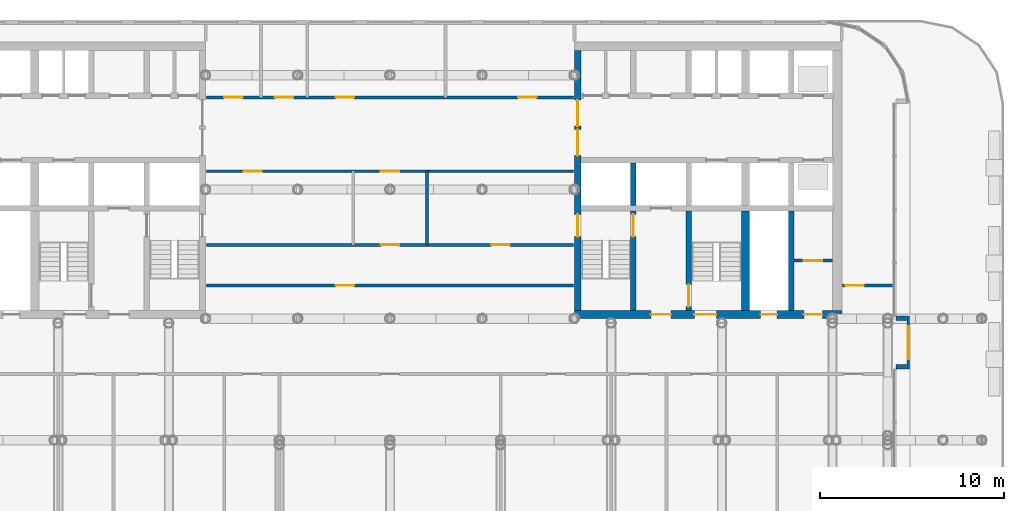
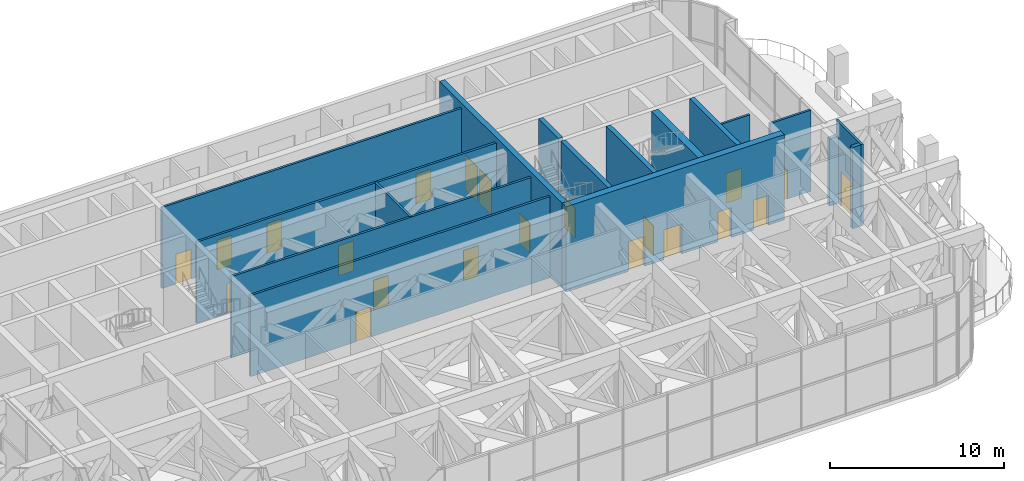
# One storey, part 18 of 25: 21 doors, 17 walls, 21 openings.
"""IFC4 building model written with IfcOpenShell, lengths in metres."""

from ifc_helpers import new_model, si_unit, direction, frame, frame_2d, origin, place, context, subcontext, project, spatial, rectangle, extrude, material, layer, layer_set, type_object, element, fill, save


model = new_model("IFC4")

# Units and contexts
model_context = context("Model", 3, precision=1e-05, world=origin(), true_north=direction((0.0, 1.0)))
body_context = subcontext(model_context, "Body", "Model", "MODEL_VIEW")
ifc_project = project(units=[si_unit("LENGTHUNIT", "METRE"), si_unit("AREAUNIT", "SQUARE_METRE"), si_unit("VOLUMEUNIT", "CUBIC_METRE"), si_unit("PLANEANGLEUNIT", "RADIAN"), si_unit("MASSUNIT", "GRAM", prefix="KILO")], contexts=[model_context])

# Site, building, storey
site_placement = place(None, origin())
site = spatial("IfcSite", under=ifc_project, at=site_placement, CompositionType="ELEMENT")
building_placement = place(site_placement, origin())
building = spatial("IfcBuilding", under=site, at=building_placement, Name="Torana Hotel and Residences", CompositionType="ELEMENT")
storey_placement = place(building_placement, frame((0.0, 0.0, 106.800048828125)))
storey = spatial("IfcBuildingStorey", under=building, at=storey_placement, Name="L27", CompositionType="ELEMENT", Elevation=106.800048828125)

# Wall
ifc_material_1 = material(Name="Concrete C70/85", Category="concrete")
ifc_layer_1 = layer(ifc_material_1, 0.300048828125)
ifc_layer_set_1 = layer_set([ifc_layer_1], Name="CORE WALL 300 C70/85")
wall_type_1 = type_object("IfcWallType", Name="CORE WALL 300 C70/85", PredefinedType="SHEAR", material=ifc_layer_set_1)
wall_1_placement = place(storey_placement, frame((13.199951171875, -8.85009765625, 0.0), z_axis=(0.0, 0.0, 1.0), x_axis=(0.0, 1.0, 0.0)))
element("IfcWall", 1, at=wall_1_placement, inside=storey, type_object=wall_type_1, Name="Core wall E x3.05-S", PredefinedType="SHEAR", context=body_context, shape_type="SweptSolid", body=[
    extrude(rectangle(XDim=2.300048828125, YDim=0.300048828125, at=frame_2d((1.14990234375, 0.0))), origin(), (0.0, 0.0, 1.0), 6.0),
])

# Wall, opening, door
wall_2_placement = place(storey_placement, frame((13.199951171875, -14.550048828125, 0.0), z_axis=(0.0, 0.0, 1.0), x_axis=(0.0, 1.0, 0.0)))
wall_2 = element("IfcWall", 2, at=wall_2_placement, inside=storey, type_object=wall_type_1, Name="Core wall E x3.05-band", PredefinedType="SHEAR", context=body_context, shape_type="SweptSolid", body=[
    extrude(rectangle(XDim=5.400146484375, YDim=0.300048828125, at=frame_2d((2.7001953125, 0.0))), origin(), (0.0, 0.0, 1.0), 6.0),
])
opening_1_placement = place(wall_2_placement, frame((4.0, 0.0, 0.0)))
opening_1 = element("IfcOpeningElement", 3, at=opening_1_placement, cuts=wall_2, Name="Opening L27-27", PredefinedType="OPENING", context=body_context, shape_type="SweptSolid", body=[
    extrude(rectangle(XDim=1.199951171875, YDim=2.10009765625, at=frame_2d((0.60009765625, 1.050048828125))), frame((0.0, 0.159912109375, 0.0), z_axis=(0.0, -1.0, 0.0), x_axis=(1.0, 0.0, 0.0)), (0.0, 0.0, 1.0), 0.320068359375),
])
ifc_material_2 = material(Name="Steel S235", Category="steel")
door_type_1 = type_object("IfcDoorType", Name="STAIR FIRE DOOR D3 1200x2100", OperationType="SINGLE_SWING_LEFT", PredefinedType="DOOR", material=ifc_material_2)
door_1_placement = place(opening_1_placement, origin())
door_1 = element("IfcDoor", 4, at=door_1_placement, inside=storey, type_object=door_type_1, Name="Stair-A-lobby door L27", OperationType="SINGLE_SWING_LEFT", OverallHeight=2.10009765625, OverallWidth=1.199951171875, PredefinedType="DOOR", context=body_context, shape_type="SweptSolid", body=[
    extrude(rectangle(XDim=1.199951171875, YDim=2.10009765625, at=frame_2d((0.60009765625, 1.050048828125))), frame((0.0, 0.02490234375, 0.0), z_axis=(0.0, -1.0, 0.0), x_axis=(1.0, 0.0, 0.0)), (0.0, 0.0, 1.0), 0.050048828125),
])
fill(opening_1, door_1)

wall_3_placement = place(storey_placement, frame((16.199951171875, -14.550048828125, 0.0), z_axis=(0.0, 0.0, 1.0), x_axis=(0.0, 1.0, 0.0)))
wall_3 = element("IfcWall", 5, at=wall_3_placement, inside=storey, type_object=wall_type_1, Name="Core wall E x6.05-band", PredefinedType="SHEAR", context=body_context, shape_type="SweptSolid", body=[
    extrude(rectangle(XDim=5.400146484375, YDim=0.300048828125, at=frame_2d((2.7001953125, 0.0))), origin(), (0.0, 0.0, 1.0), 6.0),
])
opening_2_placement = place(wall_3_placement, frame((0.199951171875, 0.0, 0.0)))
opening_2 = element("IfcOpeningElement", 6, at=opening_2_placement, cuts=wall_3, Name="Opening L27-28", PredefinedType="OPENING", context=body_context, shape_type="SweptSolid", body=[
    extrude(rectangle(XDim=1.199951171875, YDim=2.10009765625, at=frame_2d((0.60009765625, 1.050048828125))), frame((0.0, 0.159912109375, 0.0), z_axis=(0.0, -1.0, 0.0), x_axis=(1.0, 0.0, 0.0)), (0.0, 0.0, 1.0), 0.320068359375),
])
door_2_placement = place(opening_2_placement, frame((0.60009765625, 0.0, 0.0), z_axis=(0.0, 0.0, 1.0), x_axis=(-1.0, 0.0, 0.0)))
door_2 = element("IfcDoor", 7, at=door_2_placement, inside=storey, type_object=door_type_1, Name="Stair-B-lobby door L27", OperationType="SINGLE_SWING_LEFT", OverallHeight=2.10009765625, OverallWidth=1.199951171875, PredefinedType="DOOR", context=body_context, shape_type="SweptSolid", body=[
    extrude(rectangle(XDim=1.199951171875, YDim=2.10009765625, at=frame_2d((0.0, 1.050048828125))), frame((0.0, -0.02490234375, 0.0), z_axis=(0.0, 1.0, 0.0), x_axis=(-1.0, 0.0, 0.0)), (0.0, 0.0, 1.0), 0.050048828125),
])
fill(opening_2, door_2)

# Wall
wall_4_placement = place(storey_placement, frame((21.75, -14.550048828125, 0.0), z_axis=(0.0, 0.0, 1.0), x_axis=(0.0, 1.0, 0.0)))
element("IfcWall", 8, at=wall_4_placement, inside=storey, type_object=wall_type_1, Name="Core wall E mm-band", PredefinedType="SHEAR", context=body_context, shape_type="SweptSolid", body=[
    extrude(rectangle(XDim=5.400146484375, YDim=0.300048828125, at=frame_2d((2.7001953125, 0.0))), origin(), (0.0, 0.0, 1.0), 6.0),
])

# Wall, openings, doors
ifc_material_3 = material(Name="Concrete C70/85", Category="concrete")
ifc_layer_2 = layer(ifc_material_3, 0.35009765625)
ifc_layer_set_2 = layer_set([ifc_layer_2], Name="CORE WALL 350 C70/85")
wall_type_2 = type_object("IfcWallType", Name="CORE WALL 350 C70/85", PredefinedType="SHEAR", material=ifc_layer_set_2)
wall_5_placement = place(storey_placement, frame((10.175048828125, -14.550048828125, 0.0), z_axis=(0.0, 0.0, 1.0), x_axis=(0.0, 1.0, 0.0)))
wall_5 = element("IfcWall", 9, at=wall_5_placement, inside=storey, type_object=wall_type_2, Name="Core wall E arch", PredefinedType="SHEAR", context=body_context, shape_type="SweptSolid", body=[
    extrude(rectangle(XDim=14.10009765625, YDim=0.35009765625, at=frame_2d((7.050048828125, 0.0))), origin(), (0.0, 0.0, 1.0), 6.0),
])
opening_3_placement = place(wall_5_placement, frame((8.39990234375, 0.0, 0.0)))
opening_3 = element("IfcOpeningElement", 10, at=opening_3_placement, cuts=wall_5, Name="Opening L27-15", PredefinedType="OPENING", context=body_context, shape_type="SweptSolid", body=[
    extrude(rectangle(XDim=1.39990234375, YDim=2.39990234375, at=frame_2d((0.699951171875, 1.199951171875))), frame((0.0, 0.18505859375, 0.0), z_axis=(0.0, -1.0, 0.0), x_axis=(1.0, 0.0, 0.0)), (0.0, 0.0, 1.0), 0.3701171875),
])
opening_4_placement = place(wall_5_placement, frame((10.0, 0.0, 0.0)))
opening_4 = element("IfcOpeningElement", 11, at=opening_4_placement, cuts=wall_5, Name="Opening L27-16", PredefinedType="OPENING", context=body_context, shape_type="SweptSolid", body=[
    extrude(rectangle(XDim=1.39990234375, YDim=2.39990234375, at=frame_2d((0.699951171875, 1.199951171875))), frame((0.0, 0.18505859375, 0.0), z_axis=(0.0, -1.0, 0.0), x_axis=(1.0, 0.0, 0.0)), (0.0, 0.0, 1.0), 0.3701171875),
])
opening_5_placement = place(wall_5_placement, frame((4.0, 0.0, 0.0)))
opening_5 = element("IfcOpeningElement", 12, at=opening_5_placement, cuts=wall_5, Name="Opening L27-17", PredefinedType="OPENING", context=body_context, shape_type="SweptSolid", body=[
    extrude(rectangle(XDim=1.199951171875, YDim=2.10009765625, at=frame_2d((0.60009765625, 1.050048828125))), frame((0.0, 0.18505859375, 0.0), z_axis=(0.0, -1.0, 0.0), x_axis=(1.0, 0.0, 0.0)), (0.0, 0.0, 1.0), 0.3701171875),
])
ifc_material_4 = material(Name="Steel S235", Category="steel")
door_type_2 = type_object("IfcDoorType", Name="LOBBY FIRE DOOR D4 1400x2400", OperationType="DOUBLE_DOOR_SINGLE_SWING", PredefinedType="DOOR", material=ifc_material_4)
door_3_placement = place(opening_3_placement, origin())
door_3 = element("IfcDoor", 13, at=door_3_placement, inside=storey, type_object=door_type_2, Name="Lobby-1 door L27", OperationType="DOUBLE_DOOR_SINGLE_SWING", OverallHeight=2.39990234375, OverallWidth=1.39990234375, PredefinedType="DOOR", context=body_context, shape_type="SweptSolid", body=[
    extrude(rectangle(XDim=1.39990234375, YDim=2.39990234375, at=frame_2d((0.699951171875, 1.199951171875))), frame((0.0, 0.02490234375, 0.0), z_axis=(0.0, -1.0, 0.0), x_axis=(1.0, 0.0, 0.0)), (0.0, 0.0, 1.0), 0.050048828125),
])
fill(opening_3, door_3)
door_4_placement = place(opening_4_placement, origin())
door_4 = element("IfcDoor", 14, at=door_4_placement, inside=storey, type_object=door_type_2, Name="Lobby-2 door L27", OperationType="DOUBLE_DOOR_SINGLE_SWING", OverallHeight=2.39990234375, OverallWidth=1.39990234375, PredefinedType="DOOR", context=body_context, shape_type="SweptSolid", body=[
    extrude(rectangle(XDim=1.39990234375, YDim=2.39990234375, at=frame_2d((0.699951171875, 1.199951171875))), frame((0.0, 0.02490234375, 0.0), z_axis=(0.0, -1.0, 0.0), x_axis=(1.0, 0.0, 0.0)), (0.0, 0.0, 1.0), 0.050048828125),
])
fill(opening_4, door_4)
door_5_placement = place(opening_5_placement, frame((0.60009765625, 0.0, 0.0), z_axis=(0.0, 0.0, 1.0), x_axis=(-1.0, 0.0, 0.0)))
door_5 = element("IfcDoor", 15, at=door_5_placement, inside=storey, type_object=door_type_1, Name="Stair-A door L27", OperationType="SINGLE_SWING_RIGHT", OverallHeight=2.10009765625, OverallWidth=1.199951171875, PredefinedType="DOOR", context=body_context, shape_type="SweptSolid", body=[
    extrude(rectangle(XDim=1.199951171875, YDim=2.10009765625, at=frame_2d((0.0, 1.050048828125))), frame((0.0, -0.02490234375, 0.0), z_axis=(0.0, 1.0, 0.0), x_axis=(-1.0, 0.0, 0.0)), (0.0, 0.0, 1.0), 0.050048828125),
])
fill(opening_5, door_5)

ifc_material_5 = material(Name="Concrete C70/85", Category="concrete")
ifc_layer_3 = layer(ifc_material_5, 0.449951171875)
ifc_layer_set_3 = layer_set([ifc_layer_3], Name="CORE WALL 450 C70/85")
wall_type_3 = type_object("IfcWallType", Name="CORE WALL 450 C70/85", PredefinedType="SHEAR", material=ifc_layer_set_3)
wall_6_placement = place(storey_placement, frame((10.0, -14.77490234375, 0.0), z_axis=(0.0, 0.0, 1.0), x_axis=(1.0, 0.0, 0.0)))
wall_6 = element("IfcWall", 16, at=wall_6_placement, inside=storey, type_object=wall_type_3, Name="Core wall E front", PredefinedType="SHEAR", context=body_context, shape_type="SweptSolid", body=[
    extrude(rectangle(XDim=14.5, YDim=0.449951171875, at=frame_2d((7.25, 0.0))), origin(), (0.0, 0.0, 1.0), 6.0),
])
opening_6_placement = place(wall_6_placement, frame((6.5, 0.0, 0.0)))
opening_6 = element("IfcOpeningElement", 17, at=opening_6_placement, cuts=wall_6, Name="Opening L27-18", PredefinedType="OPENING", context=body_context, shape_type="SweptSolid", body=[
    extrude(rectangle(XDim=1.199951171875, YDim=2.10009765625, at=frame_2d((0.60009765625, 1.050048828125))), frame((0.0, 0.23486328125, 0.0), z_axis=(0.0, -1.0, 0.0), x_axis=(1.0, 0.0, 0.0)), (0.0, 0.0, 1.0), 0.469970703125),
])
opening_7_placement = place(wall_6_placement, frame((4.14990234375, 0.0, 0.0)))
opening_7 = element("IfcOpeningElement", 18, at=opening_7_placement, cuts=wall_6, Name="Opening L27-19", PredefinedType="OPENING", context=body_context, shape_type="SweptSolid", body=[
    extrude(rectangle(XDim=1.10009765625, YDim=2.10009765625, at=frame_2d((0.550048828125, 1.050048828125))), frame((0.0, 0.23486328125, 0.0), z_axis=(0.0, -1.0, 0.0), x_axis=(1.0, 0.0, 0.0)), (0.0, 0.0, 1.0), 0.469970703125),
])
opening_8_placement = place(wall_6_placement, frame((10.10009765625, 0.0, 0.0)))
opening_8 = element("IfcOpeningElement", 19, at=opening_8_placement, cuts=wall_6, Name="Opening L27-20", PredefinedType="OPENING", context=body_context, shape_type="SweptSolid", body=[
    extrude(rectangle(XDim=0.89990234375, YDim=2.10009765625, at=frame_2d((0.449951171875, 1.050048828125))), frame((0.0, 0.23486328125, 0.0), z_axis=(0.0, -1.0, 0.0), x_axis=(1.0, 0.0, 0.0)), (0.0, 0.0, 1.0), 0.469970703125),
])
opening_9_placement = place(wall_6_placement, frame((12.449951171875, 0.0, 0.0)))
opening_9 = element("IfcOpeningElement", 20, at=opening_9_placement, cuts=wall_6, Name="Opening L27-21", PredefinedType="OPENING", context=body_context, shape_type="SweptSolid", body=[
    extrude(rectangle(XDim=1.0, YDim=2.10009765625, at=frame_2d((0.5, 1.050048828125))), frame((0.0, 0.23486328125, 0.0), z_axis=(0.0, -1.0, 0.0), x_axis=(1.0, 0.0, 0.0)), (0.0, 0.0, 1.0), 0.469970703125),
])
ifc_material_6 = material(Name="Steel S235", Category="steel")
door_type_3 = type_object("IfcDoorType", Name="CORE ROOM FIRE DOOR D14 1000x2100", OperationType="SINGLE_SWING_LEFT", PredefinedType="DOOR", material=ifc_material_6)
door_6_placement = place(opening_9_placement, origin())
door_6 = element("IfcDoor", 21, at=door_6_placement, inside=storey, type_object=door_type_3, Name="M-Room-B door L27", OperationType="SINGLE_SWING_RIGHT", OverallHeight=2.10009765625, OverallWidth=1.0, PredefinedType="DOOR", context=body_context, shape_type="SweptSolid", body=[
    extrude(rectangle(XDim=1.0, YDim=2.10009765625, at=frame_2d((0.5, 1.050048828125))), frame((0.0, 0.02490234375, 0.0), z_axis=(0.0, -1.0, 0.0), x_axis=(1.0, 0.0, 0.0)), (0.0, 0.0, 1.0), 0.050048828125),
])
fill(opening_9, door_6)
ifc_material_7 = material(Name="Steel S235", Category="steel")
door_type_4 = type_object("IfcDoorType", Name="FIRE-FIGHTING LOBBY DOOR D8 1100x2100", OperationType="SINGLE_SWING_LEFT", PredefinedType="DOOR", material=ifc_material_7)
door_7_placement = place(opening_7_placement, origin())
door_7 = element("IfcDoor", 22, at=door_7_placement, inside=storey, type_object=door_type_4, Name="FF-lobby door L27", OperationType="SINGLE_SWING_RIGHT", OverallHeight=2.10009765625, OverallWidth=1.10009765625, PredefinedType="DOOR", context=body_context, shape_type="SweptSolid", body=[
    extrude(rectangle(XDim=1.10009765625, YDim=2.10009765625, at=frame_2d((0.550048828125, 1.050048828125))), frame((0.0, 0.02490234375, 0.0), z_axis=(0.0, -1.0, 0.0), x_axis=(1.0, 0.0, 0.0)), (0.0, 0.0, 1.0), 0.050048828125),
])
fill(opening_7, door_7)
ifc_material_8 = material(Name="Steel S235", Category="steel")
door_type_5 = type_object("IfcDoorType", Name="RISER ACCESS DOOR D5 900x2100", OperationType="SINGLE_SWING_LEFT", PredefinedType="DOOR", material=ifc_material_8)
door_8_placement = place(opening_8_placement, origin())
door_8 = element("IfcDoor", 23, at=door_8_placement, inside=storey, type_object=door_type_5, Name="M-Riser door L27", OperationType="SINGLE_SWING_RIGHT", OverallHeight=2.10009765625, OverallWidth=0.89990234375, PredefinedType="DOOR", context=body_context, shape_type="SweptSolid", body=[
    extrude(rectangle(XDim=0.89990234375, YDim=2.10009765625, at=frame_2d((0.449951171875, 1.050048828125))), frame((0.0, 0.02490234375, 0.0), z_axis=(0.0, -1.0, 0.0), x_axis=(1.0, 0.0, 0.0)), (0.0, 0.0, 1.0), 0.050048828125),
])
fill(opening_8, door_8)
door_9_placement = place(opening_6_placement, origin())
door_9 = element("IfcDoor", 24, at=door_9_placement, inside=storey, type_object=door_type_1, Name="Stair-B door L27", OperationType="SINGLE_SWING_RIGHT", OverallHeight=2.10009765625, OverallWidth=1.199951171875, PredefinedType="DOOR", context=body_context, shape_type="SweptSolid", body=[
    extrude(rectangle(XDim=1.199951171875, YDim=2.10009765625, at=frame_2d((0.60009765625, 1.050048828125))), frame((0.0, 0.02490234375, 0.0), z_axis=(0.0, -1.0, 0.0), x_axis=(1.0, 0.0, 0.0)), (0.0, 0.0, 1.0), 0.050048828125),
])
fill(opening_6, door_9)

# Walls
wall_7_placement = place(storey_placement, frame((19.27490234375, -14.550048828125, 0.0), z_axis=(0.0, 0.0, 1.0), x_axis=(0.0, 1.0, 0.0)))
element("IfcWall", 25, at=wall_7_placement, inside=storey, type_object=wall_type_3, Name="Core wall E hm-band", PredefinedType="SHEAR", context=body_context, shape_type="SweptSolid", body=[
    extrude(rectangle(XDim=5.400146484375, YDim=0.449951171875, at=frame_2d((2.7001953125, 0.0))), origin(), (0.0, 0.0, 1.0), 6.0),
])
ifc_material_9 = material(Name="Black aluminium composite panel", Category="aluminium")
ifc_layer_4 = layer(ifc_material_9, 0.00390625, Name="Cladding", Category="cladding")
ifc_material_10 = material(Name="Ventilated air cavity")
ifc_layer_5 = layer(ifc_material_10, 0.0400390625, Name="Ventilated cavity", Category="cavity")
ifc_material_11 = material(Name="Mineral wool insulation")
ifc_layer_6 = layer(ifc_material_11, 0.090087890625, Name="Insulation", Category="insulation")
ifc_material_12 = material(Name="Steel S280GD", Category="steel")
ifc_layer_7 = layer(ifc_material_12, 0.092041015625, Name="Steel stud frame", Category="structure")
ifc_material_13 = material(Name="Fire rated plasterboard")
ifc_layer_8 = layer(ifc_material_13, 0.011962890625, Name="Inner board", Category="finish")
ifc_layer_9 = layer(ifc_material_13, 0.011962890625, Name="Second board", Category="finish")
ifc_layer_set_4 = layer_set([ifc_layer_4, ifc_layer_5, ifc_layer_6, ifc_layer_7, ifc_layer_8, ifc_layer_9], Name="EW1 EXTERNAL WALL BLACK METAL CLAD 250")
wall_type_4 = type_object("IfcWallType", Name="EW1 EXTERNAL WALL BLACK METAL CLAD 250", PredefinedType="SOLIDWALL", material=ifc_layer_set_4)
wall_8_placement = place(storey_placement, frame((27.455078125, -17.61669921875, 0.0), z_axis=(0.0, 0.0, 1.0), x_axis=(1.0, 0.0, 0.0)))
element("IfcWall", 26, at=wall_8_placement, inside=storey, type_object=wall_type_4, Name="External wall L27 e0.19.4 bay return 1", PredefinedType="SOLIDWALL", context=body_context, shape_type="SweptSolid", body=[
    extrude(rectangle(XDim=0.56982421875, YDim=0.25, at=frame_2d((0.284912109375, 0.0))), origin(), (0.0, 0.0, 1.0), 5.719970703125),
])
wall_9_placement = place(storey_placement, frame((27.455078125, -14.9833984375, 0.0), z_axis=(0.0, 0.0, 1.0), x_axis=(1.0, 0.0, 0.0)))
element("IfcWall", 27, at=wall_9_placement, inside=storey, type_object=wall_type_4, Name="External wall L27 e0.19.4 bay return 2", PredefinedType="SOLIDWALL", context=body_context, shape_type="SweptSolid", body=[
    extrude(rectangle(XDim=0.56982421875, YDim=0.25, at=frame_2d((0.284912109375, 0.0))), origin(), (0.0, 0.0, 1.0), 4.719970703125),
])

# Wall, opening, door
ifc_material_14 = material(Name="Gypsum plaster")
ifc_layer_10 = layer(ifc_material_14, 0.014892578125, Name="Plaster", Category="finish")
ifc_material_15 = material(Name="Concrete blockwork", Category="masonry")
ifc_layer_11 = layer(ifc_material_15, 0.1201171875, Name="Blockwork", Category="structure")
ifc_layer_12 = layer(ifc_material_14, 0.014892578125, Name="Plaster", Category="finish")
ifc_layer_set_5 = layer_set([ifc_layer_10, ifc_layer_11, ifc_layer_12], Name="FIRE PARTITION 150 BLOCKWORK")
wall_type_5 = type_object("IfcWallType", Name="FIRE PARTITION 150 BLOCKWORK", PredefinedType="PARTITIONING", material=ifc_layer_set_5)
wall_10_placement = place(storey_placement, frame((21.89990234375, -11.85009765625, 0.0), z_axis=(0.0, 0.0, 1.0), x_axis=(1.0, 0.0, 0.0)))
wall_10 = element("IfcWall", 28, at=wall_10_placement, inside=storey, type_object=wall_type_5, Name="Core partition L27", PredefinedType="PARTITIONING", context=body_context, shape_type="SweptSolid", body=[
    extrude(rectangle(XDim=2.10009765625, YDim=0.14990234375, at=frame_2d((1.050048828125, 0.0))), origin(), (0.0, 0.0, 1.0), 5.699951171875),
])
opening_10_placement = place(wall_10_placement, frame((0.550048828125, 0.0, 0.0)))
opening_10 = element("IfcOpeningElement", 29, at=opening_10_placement, cuts=wall_10, Name="Opening L27-30", PredefinedType="OPENING", context=body_context, shape_type="SweptSolid", body=[
    extrude(rectangle(XDim=1.0, YDim=2.10009765625, at=frame_2d((0.5, 1.050048828125))), frame((0.0, 0.0849609375, 0.0), z_axis=(0.0, -1.0, 0.0), x_axis=(1.0, 0.0, 0.0)), (0.0, 0.0, 1.0), 0.169921875),
])
door_10_placement = place(opening_10_placement, origin())
door_10 = element("IfcDoor", 30, at=door_10_placement, inside=storey, type_object=door_type_3, Name="Plant room door L27", OperationType="SINGLE_SWING_RIGHT", OverallHeight=2.10009765625, OverallWidth=1.0, PredefinedType="DOOR", context=body_context, shape_type="SweptSolid", body=[
    extrude(rectangle(XDim=1.0, YDim=2.10009765625, at=frame_2d((0.5, 1.050048828125))), frame((0.0, 0.02490234375, 0.0), z_axis=(0.0, -1.0, 0.0), x_axis=(1.0, 0.0, 0.0)), (0.0, 0.0, 1.0), 0.050048828125),
])
fill(opening_10, door_10)

# Wall
wall_11_placement = place(storey_placement, frame((2.0, -11.0, 0.0), z_axis=(0.0, 0.0, 1.0), x_axis=(0.0, 1.0, 0.0)))
element("IfcWall", 31, at=wall_11_placement, inside=storey, type_object=wall_type_5, Name="Partition L27", PredefinedType="PARTITIONING", context=body_context, shape_type="SweptSolid", body=[
    extrude(rectangle(XDim=4.0, YDim=0.14990234375, at=frame_2d((2.0, 0.0))), origin(), (0.0, 0.0, 1.0), 5.699951171875),
])

# Wall, opening, door
wall_12_placement = place(storey_placement, frame((-9.949951171875, -13.199951171875, 0.0), z_axis=(0.0, 0.0, 1.0), x_axis=(1.0, 0.0, 0.0)))
wall_12 = element("IfcWall", 32, at=wall_12_placement, inside=storey, type_object=wall_type_5, Name="Partition L27", PredefinedType="PARTITIONING", context=body_context, shape_type="SweptSolid", body=[
    extrude(rectangle(XDim=19.89990234375, YDim=0.14990234375, at=frame_2d((9.949951171875, 0.0))), origin(), (0.0, 0.0, 1.0), 5.699951171875),
])
opening_11_placement = place(wall_12_placement, frame((7.0, 0.0, 0.0)))
opening_11 = element("IfcOpeningElement", 33, at=opening_11_placement, cuts=wall_12, Name="Opening L27-31", PredefinedType="OPENING", context=body_context, shape_type="SweptSolid", body=[
    extrude(rectangle(XDim=1.0, YDim=2.10009765625, at=frame_2d((0.5, 1.050048828125))), frame((0.0, 0.0849609375, 0.0), z_axis=(0.0, -1.0, 0.0), x_axis=(1.0, 0.0, 0.0)), (0.0, 0.0, 1.0), 0.169921875),
])
ifc_material_16 = material(Name="Steel S235", Category="steel")
door_type_6 = type_object("IfcDoorType", Name="ENTRY FIRE DOOR D6 1000x2100", OperationType="SINGLE_SWING_LEFT", PredefinedType="DOOR", material=ifc_material_16)
door_11_placement = place(opening_11_placement, origin())
door_11 = element("IfcDoor", 34, at=door_11_placement, inside=storey, type_object=door_type_6, Name="Door L27", OperationType="SINGLE_SWING_RIGHT", OverallHeight=2.10009765625, OverallWidth=1.0, PredefinedType="DOOR", context=body_context, shape_type="SweptSolid", body=[
    extrude(rectangle(XDim=1.0, YDim=2.10009765625, at=frame_2d((0.5, 1.050048828125))), frame((0.0, 0.02490234375, 0.0), z_axis=(0.0, -1.0, 0.0), x_axis=(1.0, 0.0, 0.0)), (0.0, 0.0, 1.0), 0.050048828125),
])
fill(opening_11, door_11)

wall_13_placement = place(storey_placement, frame((24.550048828125, -13.199951171875, 0.0), z_axis=(0.0, 0.0, 1.0), x_axis=(1.0, 0.0, 0.0)))
wall_13 = element("IfcWall", 35, at=wall_13_placement, inside=storey, type_object=wall_type_5, Name="Partition L27", PredefinedType="PARTITIONING", context=body_context, shape_type="SweptSolid", body=[
    extrude(rectangle(XDim=2.724853515625, YDim=0.14990234375, at=frame_2d((1.3623046875, 0.0))), origin(), (0.0, 0.0, 1.0), 5.699951171875),
])
opening_12_placement = place(wall_13_placement, frame((0.14990234375, 0.0, 0.0)))
opening_12 = element("IfcOpeningElement", 36, at=opening_12_placement, cuts=wall_13, Name="Opening L27-42", PredefinedType="OPENING", context=body_context, shape_type="SweptSolid", body=[
    extrude(rectangle(XDim=1.0, YDim=2.10009765625, at=frame_2d((0.5, 1.050048828125))), frame((0.0, 0.0849609375, 0.0), z_axis=(0.0, -1.0, 0.0), x_axis=(1.0, 0.0, 0.0)), (0.0, 0.0, 1.0), 0.169921875),
])
door_12_placement = place(opening_12_placement, origin())
door_12 = element("IfcDoor", 37, at=door_12_placement, inside=storey, type_object=door_type_3, Name="Door L27", OperationType="SINGLE_SWING_RIGHT", OverallHeight=2.10009765625, OverallWidth=1.0, PredefinedType="DOOR", context=body_context, shape_type="SweptSolid", body=[
    extrude(rectangle(XDim=1.0, YDim=2.10009765625, at=frame_2d((0.5, 1.050048828125))), frame((0.0, 0.02490234375, 0.0), z_axis=(0.0, -1.0, 0.0), x_axis=(1.0, 0.0, 0.0)), (0.0, 0.0, 1.0), 0.050048828125),
])
fill(opening_12, door_12)

# Wall, openings, doors
wall_14_placement = place(storey_placement, frame((-9.949951171875, -11.0, 0.0), z_axis=(0.0, 0.0, 1.0), x_axis=(1.0, 0.0, 0.0)))
wall_14 = element("IfcWall", 38, at=wall_14_placement, inside=storey, type_object=wall_type_5, Name="Partition L27", PredefinedType="PARTITIONING", context=body_context, shape_type="SweptSolid", body=[
    extrude(rectangle(XDim=19.89990234375, YDim=0.14990234375, at=frame_2d((9.949951171875, 0.0))), origin(), (0.0, 0.0, 1.0), 5.699951171875),
])
opening_13_placement = place(wall_14_placement, frame((9.449951171875, 0.0, 0.0)))
opening_13 = element("IfcOpeningElement", 39, at=opening_13_placement, cuts=wall_14, Name="Opening L27-43", PredefinedType="OPENING", context=body_context, shape_type="SweptSolid", body=[
    extrude(rectangle(XDim=1.0, YDim=2.10009765625, at=frame_2d((0.5, 1.050048828125))), frame((0.0, 0.0849609375, 0.0), z_axis=(0.0, -1.0, 0.0), x_axis=(1.0, 0.0, 0.0)), (0.0, 0.0, 1.0), 0.169921875),
])
opening_14_placement = place(wall_14_placement, frame((15.449951171875, 0.0, 0.0)))
opening_14 = element("IfcOpeningElement", 40, at=opening_14_placement, cuts=wall_14, Name="Opening L27-44", PredefinedType="OPENING", context=body_context, shape_type="SweptSolid", body=[
    extrude(rectangle(XDim=1.0, YDim=2.10009765625, at=frame_2d((0.5, 1.050048828125))), frame((0.0, 0.0849609375, 0.0), z_axis=(0.0, -1.0, 0.0), x_axis=(1.0, 0.0, 0.0)), (0.0, 0.0, 1.0), 0.169921875),
])
door_13_placement = place(opening_13_placement, origin())
door_13 = element("IfcDoor", 41, at=door_13_placement, inside=storey, type_object=door_type_6, Name="Door L27", OperationType="SINGLE_SWING_RIGHT", OverallHeight=2.10009765625, OverallWidth=1.0, PredefinedType="DOOR", context=body_context, shape_type="SweptSolid", body=[
    extrude(rectangle(XDim=1.0, YDim=2.10009765625, at=frame_2d((0.5, 1.050048828125))), frame((0.0, 0.02490234375, 0.0), z_axis=(0.0, -1.0, 0.0), x_axis=(1.0, 0.0, 0.0)), (0.0, 0.0, 1.0), 0.050048828125),
])
fill(opening_13, door_13)
door_14_placement = place(opening_14_placement, origin())
door_14 = element("IfcDoor", 42, at=door_14_placement, inside=storey, type_object=door_type_6, Name="Door L27", OperationType="SINGLE_SWING_RIGHT", OverallHeight=2.10009765625, OverallWidth=1.0, PredefinedType="DOOR", context=body_context, shape_type="SweptSolid", body=[
    extrude(rectangle(XDim=1.0, YDim=2.10009765625, at=frame_2d((0.5, 1.050048828125))), frame((0.0, 0.02490234375, 0.0), z_axis=(0.0, -1.0, 0.0), x_axis=(1.0, 0.0, 0.0)), (0.0, 0.0, 1.0), 0.050048828125),
])
fill(opening_14, door_14)

wall_15_placement = place(storey_placement, frame((-9.949951171875, -7.0, 0.0), z_axis=(0.0, 0.0, 1.0), x_axis=(1.0, 0.0, 0.0)))
wall_15 = element("IfcWall", 43, at=wall_15_placement, inside=storey, type_object=wall_type_5, Name="Partition L27", PredefinedType="PARTITIONING", context=body_context, shape_type="SweptSolid", body=[
    extrude(rectangle(XDim=19.89990234375, YDim=0.14990234375, at=frame_2d((9.949951171875, 0.0))), origin(), (0.0, 0.0, 1.0), 5.699951171875),
])
opening_15_placement = place(wall_15_placement, frame((9.449951171875, 0.0, 0.0)))
opening_15 = element("IfcOpeningElement", 44, at=opening_15_placement, cuts=wall_15, Name="Opening L27-45", PredefinedType="OPENING", context=body_context, shape_type="SweptSolid", body=[
    extrude(rectangle(XDim=1.0, YDim=2.10009765625, at=frame_2d((0.5, 1.050048828125))), frame((0.0, 0.0849609375, 0.0), z_axis=(0.0, -1.0, 0.0), x_axis=(1.0, 0.0, 0.0)), (0.0, 0.0, 1.0), 0.169921875),
])
opening_16_placement = place(wall_15_placement, frame((2.0, 0.0, 0.0)))
opening_16 = element("IfcOpeningElement", 45, at=opening_16_placement, cuts=wall_15, Name="Opening L27-46", PredefinedType="OPENING", context=body_context, shape_type="SweptSolid", body=[
    extrude(rectangle(XDim=1.0, YDim=2.10009765625, at=frame_2d((0.5, 1.050048828125))), frame((0.0, 0.0849609375, 0.0), z_axis=(0.0, -1.0, 0.0), x_axis=(1.0, 0.0, 0.0)), (0.0, 0.0, 1.0), 0.169921875),
])
door_15_placement = place(opening_15_placement, origin())
door_15 = element("IfcDoor", 46, at=door_15_placement, inside=storey, type_object=door_type_6, Name="Door L27", OperationType="SINGLE_SWING_RIGHT", OverallHeight=2.10009765625, OverallWidth=1.0, PredefinedType="DOOR", context=body_context, shape_type="SweptSolid", body=[
    extrude(rectangle(XDim=1.0, YDim=2.10009765625, at=frame_2d((0.5, 1.050048828125))), frame((0.0, 0.02490234375, 0.0), z_axis=(0.0, -1.0, 0.0), x_axis=(1.0, 0.0, 0.0)), (0.0, 0.0, 1.0), 0.050048828125),
])
fill(opening_15, door_15)
door_16_placement = place(opening_16_placement, frame((0.5, 0.0, 0.0), z_axis=(0.0, 0.0, 1.0), x_axis=(-1.0, 0.0, 0.0)))
door_16 = element("IfcDoor", 47, at=door_16_placement, inside=storey, type_object=door_type_6, Name="Door L27", OperationType="SINGLE_SWING_LEFT", OverallHeight=2.10009765625, OverallWidth=1.0, PredefinedType="DOOR", context=body_context, shape_type="SweptSolid", body=[
    extrude(rectangle(XDim=1.0, YDim=2.10009765625, at=frame_2d((0.0, 1.050048828125))), frame((0.0, -0.02490234375, 0.0), z_axis=(0.0, 1.0, 0.0), x_axis=(-1.0, 0.0, 0.0)), (0.0, 0.0, 1.0), 0.050048828125),
])
fill(opening_16, door_16)

wall_16_placement = place(storey_placement, frame((-9.949951171875, -3.0, 0.0), z_axis=(0.0, 0.0, 1.0), x_axis=(1.0, 0.0, 0.0)))
wall_16 = element("IfcWall", 48, at=wall_16_placement, inside=storey, type_object=wall_type_5, Name="Partition L27", PredefinedType="PARTITIONING", context=body_context, shape_type="SweptSolid", body=[
    extrude(rectangle(XDim=19.89990234375, YDim=0.14990234375, at=frame_2d((9.949951171875, 0.0))), origin(), (0.0, 0.0, 1.0), 5.699951171875),
])
opening_17_placement = place(wall_16_placement, frame((0.949951171875, 0.0, 0.0)))
opening_17 = element("IfcOpeningElement", 49, at=opening_17_placement, cuts=wall_16, Name="Opening L27-47", PredefinedType="OPENING", context=body_context, shape_type="SweptSolid", body=[
    extrude(rectangle(XDim=1.0, YDim=2.10009765625, at=frame_2d((0.5, 1.050048828125))), frame((0.0, 0.0849609375, 0.0), z_axis=(0.0, -1.0, 0.0), x_axis=(1.0, 0.0, 0.0)), (0.0, 0.0, 1.0), 0.169921875),
])
opening_18_placement = place(wall_16_placement, frame((3.699951171875, 0.0, 0.0)))
opening_18 = element("IfcOpeningElement", 50, at=opening_18_placement, cuts=wall_16, Name="Opening L27-48", PredefinedType="OPENING", context=body_context, shape_type="SweptSolid", body=[
    extrude(rectangle(XDim=1.0, YDim=2.10009765625, at=frame_2d((0.5, 1.050048828125))), frame((0.0, 0.0849609375, 0.0), z_axis=(0.0, -1.0, 0.0), x_axis=(1.0, 0.0, 0.0)), (0.0, 0.0, 1.0), 0.169921875),
])
opening_19_placement = place(wall_16_placement, frame((7.0, 0.0, 0.0)))
opening_19 = element("IfcOpeningElement", 51, at=opening_19_placement, cuts=wall_16, Name="Opening L27-49", PredefinedType="OPENING", context=body_context, shape_type="SweptSolid", body=[
    extrude(rectangle(XDim=1.0, YDim=2.10009765625, at=frame_2d((0.5, 1.050048828125))), frame((0.0, 0.0849609375, 0.0), z_axis=(0.0, -1.0, 0.0), x_axis=(1.0, 0.0, 0.0)), (0.0, 0.0, 1.0), 0.169921875),
])
opening_20_placement = place(wall_16_placement, frame((16.89990234375, 0.0, 0.0)))
opening_20 = element("IfcOpeningElement", 52, at=opening_20_placement, cuts=wall_16, Name="Opening L27-50", PredefinedType="OPENING", context=body_context, shape_type="SweptSolid", body=[
    extrude(rectangle(XDim=1.0, YDim=2.10009765625, at=frame_2d((0.5, 1.050048828125))), frame((0.0, 0.0849609375, 0.0), z_axis=(0.0, -1.0, 0.0), x_axis=(1.0, 0.0, 0.0)), (0.0, 0.0, 1.0), 0.169921875),
])
door_17_placement = place(opening_17_placement, origin())
door_17 = element("IfcDoor", 53, at=door_17_placement, inside=storey, type_object=door_type_6, Name="Door L27", OperationType="SINGLE_SWING_RIGHT", OverallHeight=2.10009765625, OverallWidth=1.0, PredefinedType="DOOR", context=body_context, shape_type="SweptSolid", body=[
    extrude(rectangle(XDim=1.0, YDim=2.10009765625, at=frame_2d((0.5, 1.050048828125))), frame((0.0, 0.02490234375, 0.0), z_axis=(0.0, -1.0, 0.0), x_axis=(1.0, 0.0, 0.0)), (0.0, 0.0, 1.0), 0.050048828125),
])
fill(opening_17, door_17)
door_18_placement = place(opening_18_placement, origin())
door_18 = element("IfcDoor", 54, at=door_18_placement, inside=storey, type_object=door_type_6, Name="Door L27", OperationType="SINGLE_SWING_RIGHT", OverallHeight=2.10009765625, OverallWidth=1.0, PredefinedType="DOOR", context=body_context, shape_type="SweptSolid", body=[
    extrude(rectangle(XDim=1.0, YDim=2.10009765625, at=frame_2d((0.5, 1.050048828125))), frame((0.0, 0.02490234375, 0.0), z_axis=(0.0, -1.0, 0.0), x_axis=(1.0, 0.0, 0.0)), (0.0, 0.0, 1.0), 0.050048828125),
])
fill(opening_18, door_18)
door_19_placement = place(opening_19_placement, origin())
door_19 = element("IfcDoor", 55, at=door_19_placement, inside=storey, type_object=door_type_6, Name="Door L27", OperationType="SINGLE_SWING_RIGHT", OverallHeight=2.10009765625, OverallWidth=1.0, PredefinedType="DOOR", context=body_context, shape_type="SweptSolid", body=[
    extrude(rectangle(XDim=1.0, YDim=2.10009765625, at=frame_2d((0.5, 1.050048828125))), frame((0.0, 0.02490234375, 0.0), z_axis=(0.0, -1.0, 0.0), x_axis=(1.0, 0.0, 0.0)), (0.0, 0.0, 1.0), 0.050048828125),
])
fill(opening_19, door_19)
door_20_placement = place(opening_20_placement, origin())
door_20 = element("IfcDoor", 56, at=door_20_placement, inside=storey, type_object=door_type_6, Name="Door L27", OperationType="SINGLE_SWING_RIGHT", OverallHeight=2.10009765625, OverallWidth=1.0, PredefinedType="DOOR", context=body_context, shape_type="SweptSolid", body=[
    extrude(rectangle(XDim=1.0, YDim=2.10009765625, at=frame_2d((0.5, 1.050048828125))), frame((0.0, 0.02490234375, 0.0), z_axis=(0.0, -1.0, 0.0), x_axis=(1.0, 0.0, 0.0)), (0.0, 0.0, 1.0), 0.050048828125),
])
fill(opening_20, door_20)

# Wall, opening, door
ifc_material_17 = material(Name="Dark glass screen in aluminium frame", Category="aluminium")
ifc_layer_13 = layer(ifc_material_17, 0.14990234375)
ifc_layer_set_6 = layer_set([ifc_layer_13], Name="GS1 GLAZED DOOR SCREEN 150")
wall_type_6 = type_object("IfcWallType", Name="GS1 GLAZED DOOR SCREEN 150", PredefinedType="USERDEFINED", material=ifc_layer_set_6)
wall_17_placement = place(storey_placement, frame((28.10009765625, -17.74169921875, 0.0), z_axis=(0.0, 0.0, 1.0), x_axis=(0.0, 1.0, 0.0)))
wall_17 = element("IfcWall", 57, at=wall_17_placement, inside=storey, type_object=wall_type_6, Name="Glazed door screen L27", ObjectType="GLAZED SCREEN", PredefinedType="USERDEFINED", context=body_context, shape_type="SweptSolid", body=[
    extrude(rectangle(XDim=2.88330078125, YDim=0.14990234375, at=frame_2d((1.441650390625, 0.0))), origin(), (0.0, 0.0, 1.0), 5.719970703125),
])
opening_21_placement = place(wall_17_placement, frame((0.541748046875, 0.0, 0.0)))
opening_21 = element("IfcOpeningElement", 58, at=opening_21_placement, cuts=wall_17, Name="Opening L27-E02", PredefinedType="OPENING", context=body_context, shape_type="SweptSolid", body=[
    extrude(rectangle(XDim=1.800048828125, YDim=2.39990234375, at=frame_2d((0.89990234375, 1.199951171875))), frame((0.0, 0.0849609375, 0.0), z_axis=(0.0, -1.0, 0.0), x_axis=(1.0, 0.0, 0.0)), (0.0, 0.0, 1.0), 0.169921875),
])
ifc_material_18 = material(Name="Dark glass in black aluminium frame", Category="aluminium")
door_type_7 = type_object("IfcDoorType", Name="DE2 TERRACE DOOR 1800x2400", OperationType="DOUBLE_DOOR_SINGLE_SWING", PredefinedType="DOOR", material=ifc_material_18)
door_21_placement = place(opening_21_placement, origin())
door_21 = element("IfcDoor", 59, at=door_21_placement, inside=storey, type_object=door_type_7, Name="Terrace door L27", OperationType="DOUBLE_DOOR_SINGLE_SWING", OverallHeight=2.39990234375, OverallWidth=1.800048828125, PredefinedType="DOOR", context=body_context, shape_type="SweptSolid", body=[
    extrude(rectangle(XDim=1.800048828125, YDim=2.39990234375, at=frame_2d((0.89990234375, 1.199951171875))), frame((0.0, 0.02490234375, 0.0), z_axis=(0.0, -1.0, 0.0), x_axis=(1.0, 0.0, 0.0)), (0.0, 0.0, 1.0), 0.050048828125),
])
fill(opening_21, door_21)

save(model, "model.ifc")
